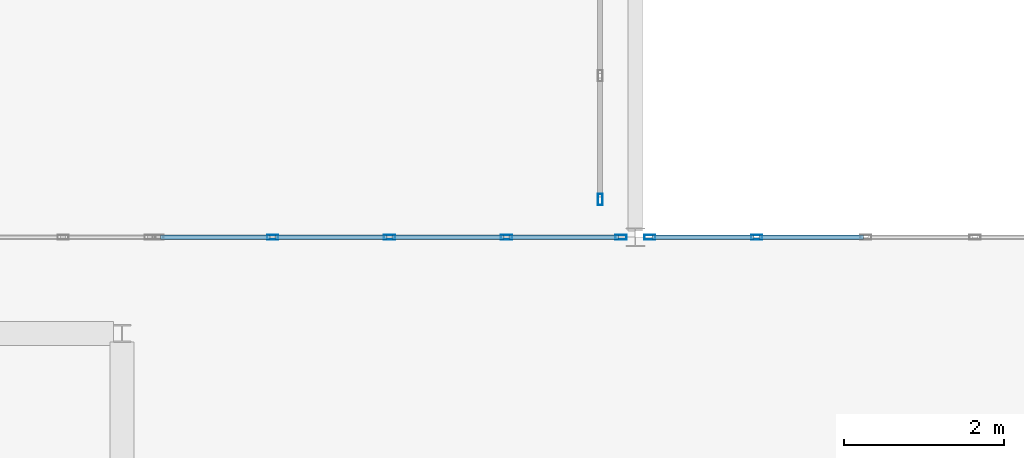
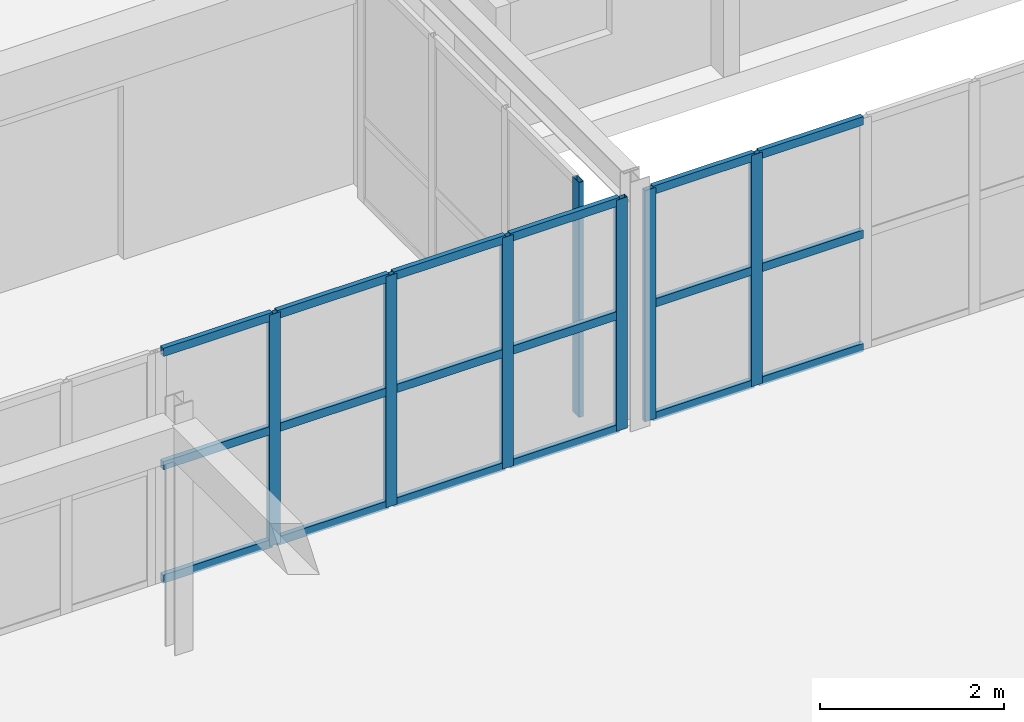
# One storey, part 97 of 200: 25 members, 3 elements without a shape of their own.
"""IFC4 building model written with IfcOpenShell, lengths in metres."""

from ifc_helpers import new_model, si_unit, direction, frame, origin, origin_2d, place, context, subcontext, project, spatial, hollow_rectangle, extrude, material, layer, layer_set, material_profile, profile_set, type_object, element, aggregate, save


model = new_model("IFC4")

# Units and contexts
model_context = context("Model", 3, precision=1e-05, world=origin(), true_north=direction((0.0, 1.0)))
body_context = subcontext(model_context, "Body", "Model", "MODEL_VIEW")
ifc_project = project(units=[si_unit("LENGTHUNIT", "METRE"), si_unit("AREAUNIT", "SQUARE_METRE"), si_unit("VOLUMEUNIT", "CUBIC_METRE"), si_unit("PLANEANGLEUNIT", "RADIAN"), si_unit("MASSUNIT", "GRAM", prefix="KILO")], contexts=[model_context])

# Site, building, storey
site_placement = place(None, origin())
site = spatial("IfcSite", under=ifc_project, at=site_placement, CompositionType="ELEMENT")
building_placement = place(site_placement, origin())
building = spatial("IfcBuilding", under=site, at=building_placement, Name="Trelvath General Hospital", CompositionType="ELEMENT")
storey_placement = place(building_placement, frame((0.0, 0.0, 4.800048828125)))
storey = spatial("IfcBuildingStorey", under=building, at=storey_placement, Name="L01", CompositionType="ELEMENT", Elevation=4.800048828125)

# Curtain wall, members
ifc_material_1 = material(Name="Anodised aluminium and low-E glass", Category="aluminium")
ifc_layer_1 = layer(ifc_material_1, 0.14990234375)
ifc_layer_set_1 = layer_set([ifc_layer_1], Name="Anodised aluminium and low-E glass")
curtain_wall_type_1 = type_object("IfcCurtainWallType", Name="CW CrystalCube 583 306 15", PredefinedType="USERDEFINED", material=ifc_layer_set_1)
curtain_wall_1_placement = place(storey_placement, origin())
curtain_wall_1 = element("IfcCurtainWall", 1, at=curtain_wall_1_placement, inside=storey, type_object=curtain_wall_type_1, Name="Crystal Cube Curtain Wall CUBE-W-T0 N4 L01", ObjectType="Unitised Glazed Curtain Wall", PredefinedType="USERDEFINED")
ifc_material_2 = material(Name="Anodised aluminium", Category="aluminium")
ifc_material_profile_1 = material_profile(ifc_material_2, hollow_rectangle(XDim=0.06005859375, YDim=0.139892578125, WallThickness=0.00390625, at=origin_2d()), Name="RHS60x140x4")
ifc_profile_set_1 = profile_set([ifc_material_profile_1], Name="Anodised aluminium")
member_type_1 = type_object("IfcMemberType", Name="CurtainMullion 60x140", PredefinedType="MULLION", material=ifc_profile_set_1)
member_1_placement = place(storey_placement, frame((62.677490234375, 86.800048828125, 0.0), z_axis=(0.0, 0.0, 1.0), x_axis=(0.0, 1.0, 0.0)))
member_1 = element("IfcMember", 2, at=member_1_placement, type_object=member_type_1, Name="CW-136 mullion 2", PredefinedType="MULLION", context=body_context, shape_type="SweptSolid", body=[
    extrude(hollow_rectangle(XDim=0.06005859375, YDim=0.139892578125, WallThickness=0.00390625, at=origin_2d()), origin(), (0.0, 0.0, 1.0), 3.06005859375),
])
member_2_placement = place(storey_placement, frame((64.135009765625, 86.800048828125, 0.0), z_axis=(0.0, 0.0, 1.0), x_axis=(0.0, 1.0, 0.0)))
member_2 = element("IfcMember", 3, at=member_2_placement, type_object=member_type_1, Name="CW-136 mullion 3", PredefinedType="MULLION", context=body_context, shape_type="SweptSolid", body=[
    extrude(hollow_rectangle(XDim=0.06005859375, YDim=0.139892578125, WallThickness=0.00390625, at=origin_2d()), origin(), (0.0, 0.0, 1.0), 3.06005859375),
])
member_3_placement = place(storey_placement, frame((65.592529296875, 86.800048828125, 0.0), z_axis=(0.0, 0.0, 1.0), x_axis=(0.0, 1.0, 0.0)))
member_3 = element("IfcMember", 4, at=member_3_placement, type_object=member_type_1, Name="CW-136 mullion 4", PredefinedType="MULLION", context=body_context, shape_type="SweptSolid", body=[
    extrude(hollow_rectangle(XDim=0.06005859375, YDim=0.139892578125, WallThickness=0.00390625, at=origin_2d()), origin(), (0.0, 0.0, 1.0), 3.06005859375),
])
member_4_placement = place(storey_placement, frame((67.02001953125, 86.800048828125, 0.0), z_axis=(0.0, 0.0, 1.0), x_axis=(0.0, 1.0, 0.0)))
member_4 = element("IfcMember", 5, at=member_4_placement, type_object=member_type_1, Name="CW-136 mullion 5", PredefinedType="MULLION", context=body_context, shape_type="SweptSolid", body=[
    extrude(hollow_rectangle(XDim=0.06005859375, YDim=0.139892578125, WallThickness=0.00390625, at=origin_2d()), origin(), (0.0, 0.0, 1.0), 3.06005859375),
])

ifc_material_3 = material(Name="Anodised aluminium and low-E glass", Category="aluminium")
ifc_layer_2 = layer(ifc_material_3, 0.14990234375)
ifc_layer_set_2 = layer_set([ifc_layer_2], Name="Anodised aluminium and low-E glass")
curtain_wall_type_2 = type_object("IfcCurtainWallType", Name="CW CrystalCube 817 306 15", PredefinedType="USERDEFINED", material=ifc_layer_set_2)
curtain_wall_2_placement = place(storey_placement, origin())
curtain_wall_2 = element("IfcCurtainWall", 6, at=curtain_wall_2_placement, inside=storey, type_object=curtain_wall_type_2, Name="Crystal Cube Curtain Wall CUBE-W-T0 N5 L01", ObjectType="Unitised Glazed Curtain Wall", PredefinedType="USERDEFINED")
member_5_placement = place(storey_placement, frame((67.3798828125, 86.800048828125, 0.0), z_axis=(0.0, 0.0, 1.0), x_axis=(0.0, 1.0, 0.0)))
member_5 = element("IfcMember", 7, at=member_5_placement, type_object=member_type_1, Name="CW-137 mullion 1", PredefinedType="MULLION", context=body_context, shape_type="SweptSolid", body=[
    extrude(hollow_rectangle(XDim=0.06005859375, YDim=0.139892578125, WallThickness=0.00390625, at=origin_2d()), origin(), (0.0, 0.0, 1.0), 3.06005859375),
])
member_6_placement = place(storey_placement, frame((68.711669921875, 86.800048828125, 0.0), z_axis=(0.0, 0.0, 1.0), x_axis=(0.0, 1.0, 0.0)))
member_6 = element("IfcMember", 8, at=member_6_placement, type_object=member_type_1, Name="CW-137 mullion 2", PredefinedType="MULLION", context=body_context, shape_type="SweptSolid", body=[
    extrude(hollow_rectangle(XDim=0.06005859375, YDim=0.139892578125, WallThickness=0.00390625, at=origin_2d()), origin(), (0.0, 0.0, 1.0), 3.06005859375),
])

# Curtain wall, member
ifc_material_4 = material(Name="Anodised aluminium and low-E glass", Category="aluminium")
ifc_layer_3 = layer(ifc_material_4, 0.139892578125)
ifc_layer_set_3 = layer_set([ifc_layer_3], Name="Anodised aluminium and low-E glass")
curtain_wall_type_3 = type_object("IfcCurtainWallType", Name="CW Bridge 472 311", PredefinedType="USERDEFINED", material=ifc_layer_set_3)
curtain_wall_3_placement = place(storey_placement, origin())
curtain_wall_3 = element("IfcCurtainWall", 9, at=curtain_wall_3_placement, inside=storey, type_object=curtain_wall_type_3, Name="Glazed Bridge Curtain Wall BRG-N-W E L01", ObjectType="Unitised Glazed Curtain Wall", PredefinedType="USERDEFINED")
member_7_placement = place(storey_placement, frame((66.760009765625, 87.27001953125, 0.0), z_axis=(0.0, 0.0, 1.0), x_axis=(1.0, 0.0, 0.0)))
member_7 = element("IfcMember", 10, at=member_7_placement, type_object=member_type_1, Name="CW-183 mullion 4", PredefinedType="MULLION", context=body_context, shape_type="SweptSolid", body=[
    extrude(hollow_rectangle(XDim=0.06005859375, YDim=0.139892578125, WallThickness=0.00390625, at=origin_2d()), origin(), (0.0, 0.0, 1.0), 3.10986328125),
])
aggregate(curtain_wall_3, [member_7])

# Member
ifc_material_5 = material(Name="Anodised aluminium", Category="aluminium")
ifc_material_profile_2 = material_profile(ifc_material_5, hollow_rectangle(XDim=0.06005859375, YDim=0.110107421875, WallThickness=0.00390625, at=origin_2d()), Name="RHS60x110x4")
ifc_profile_set_2 = profile_set([ifc_material_profile_2], Name="Anodised aluminium")
member_type_2 = type_object("IfcMemberType", Name="CurtainTransom 60x110", PredefinedType="USERDEFINED", material=ifc_profile_set_2)
member_8_placement = place(storey_placement, frame((61.280029296875, 86.800048828125, 0.030029296875), z_axis=(1.0, 0.0, 0.0), x_axis=(0.0, 1.0, 0.0)))
member_8 = element("IfcMember", 11, at=member_8_placement, type_object=member_type_2, Name="CW-136 transom 1.1", ObjectType="TRANSOM", PredefinedType="USERDEFINED", context=body_context, shape_type="SweptSolid", body=[
    extrude(hollow_rectangle(XDim=0.06005859375, YDim=0.110107421875, WallThickness=0.00390625, at=origin_2d()), origin(), (0.0, 0.0, 1.0), 1.367431640625),
])

member_9_placement = place(storey_placement, frame((61.280029296875, 86.800048828125, 1.530029296875), z_axis=(1.0, 0.0, 0.0), x_axis=(0.0, 1.0, 0.0)))
member_9 = element("IfcMember", 12, at=member_9_placement, type_object=member_type_2, Name="CW-136 transom 1.2", ObjectType="TRANSOM", PredefinedType="USERDEFINED", context=body_context, shape_type="SweptSolid", body=[
    extrude(hollow_rectangle(XDim=0.06005859375, YDim=0.110107421875, WallThickness=0.00390625, at=origin_2d()), origin(), (0.0, 0.0, 1.0), 1.367431640625),
])

member_10_placement = place(storey_placement, frame((61.280029296875, 86.800048828125, 3.030029296875), z_axis=(1.0, 0.0, 0.0), x_axis=(0.0, 1.0, 0.0)))
member_10 = element("IfcMember", 13, at=member_10_placement, type_object=member_type_2, Name="CW-136 transom 1.3", ObjectType="TRANSOM", PredefinedType="USERDEFINED", context=body_context, shape_type="SweptSolid", body=[
    extrude(hollow_rectangle(XDim=0.06005859375, YDim=0.110107421875, WallThickness=0.00390625, at=origin_2d()), origin(), (0.0, 0.0, 1.0), 1.367431640625),
])

member_11_placement = place(storey_placement, frame((62.70751953125, 86.800048828125, 0.030029296875), z_axis=(1.0, 0.0, 0.0), x_axis=(0.0, 1.0, 0.0)))
member_11 = element("IfcMember", 14, at=member_11_placement, type_object=member_type_2, Name="CW-136 transom 2.1", ObjectType="TRANSOM", PredefinedType="USERDEFINED", context=body_context, shape_type="SweptSolid", body=[
    extrude(hollow_rectangle(XDim=0.06005859375, YDim=0.110107421875, WallThickness=0.00390625, at=origin_2d()), origin(), (0.0, 0.0, 1.0), 1.3974609375),
])

member_12_placement = place(storey_placement, frame((62.70751953125, 86.800048828125, 1.530029296875), z_axis=(1.0, 0.0, 0.0), x_axis=(0.0, 1.0, 0.0)))
member_12 = element("IfcMember", 15, at=member_12_placement, type_object=member_type_2, Name="CW-136 transom 2.2", ObjectType="TRANSOM", PredefinedType="USERDEFINED", context=body_context, shape_type="SweptSolid", body=[
    extrude(hollow_rectangle(XDim=0.06005859375, YDim=0.110107421875, WallThickness=0.00390625, at=origin_2d()), origin(), (0.0, 0.0, 1.0), 1.3974609375),
])

member_13_placement = place(storey_placement, frame((62.70751953125, 86.800048828125, 3.030029296875), z_axis=(1.0, 0.0, 0.0), x_axis=(0.0, 1.0, 0.0)))
member_13 = element("IfcMember", 16, at=member_13_placement, type_object=member_type_2, Name="CW-136 transom 2.3", ObjectType="TRANSOM", PredefinedType="USERDEFINED", context=body_context, shape_type="SweptSolid", body=[
    extrude(hollow_rectangle(XDim=0.06005859375, YDim=0.110107421875, WallThickness=0.00390625, at=origin_2d()), origin(), (0.0, 0.0, 1.0), 1.3974609375),
])

member_14_placement = place(storey_placement, frame((64.1650390625, 86.800048828125, 0.030029296875), z_axis=(1.0, 0.0, 0.0), x_axis=(0.0, 1.0, 0.0)))
member_14 = element("IfcMember", 17, at=member_14_placement, type_object=member_type_2, Name="CW-136 transom 3.1", ObjectType="TRANSOM", PredefinedType="USERDEFINED", context=body_context, shape_type="SweptSolid", body=[
    extrude(hollow_rectangle(XDim=0.06005859375, YDim=0.110107421875, WallThickness=0.00390625, at=origin_2d()), origin(), (0.0, 0.0, 1.0), 1.3974609375),
])

member_15_placement = place(storey_placement, frame((64.1650390625, 86.800048828125, 1.530029296875), z_axis=(1.0, 0.0, 0.0), x_axis=(0.0, 1.0, 0.0)))
member_15 = element("IfcMember", 18, at=member_15_placement, type_object=member_type_2, Name="CW-136 transom 3.2", ObjectType="TRANSOM", PredefinedType="USERDEFINED", context=body_context, shape_type="SweptSolid", body=[
    extrude(hollow_rectangle(XDim=0.06005859375, YDim=0.110107421875, WallThickness=0.00390625, at=origin_2d()), origin(), (0.0, 0.0, 1.0), 1.3974609375),
])

member_16_placement = place(storey_placement, frame((64.1650390625, 86.800048828125, 3.030029296875), z_axis=(1.0, 0.0, 0.0), x_axis=(0.0, 1.0, 0.0)))
member_16 = element("IfcMember", 19, at=member_16_placement, type_object=member_type_2, Name="CW-136 transom 3.3", ObjectType="TRANSOM", PredefinedType="USERDEFINED", context=body_context, shape_type="SweptSolid", body=[
    extrude(hollow_rectangle(XDim=0.06005859375, YDim=0.110107421875, WallThickness=0.00390625, at=origin_2d()), origin(), (0.0, 0.0, 1.0), 1.3974609375),
])

member_17_placement = place(storey_placement, frame((65.62255859375, 86.800048828125, 0.030029296875), z_axis=(1.0, 0.0, 0.0), x_axis=(0.0, 1.0, 0.0)))
member_17 = element("IfcMember", 20, at=member_17_placement, type_object=member_type_2, Name="CW-136 transom 4.1", ObjectType="TRANSOM", PredefinedType="USERDEFINED", context=body_context, shape_type="SweptSolid", body=[
    extrude(hollow_rectangle(XDim=0.06005859375, YDim=0.110107421875, WallThickness=0.00390625, at=origin_2d()), origin(), (0.0, 0.0, 1.0), 1.367431640625),
])

member_18_placement = place(storey_placement, frame((65.62255859375, 86.800048828125, 1.530029296875), z_axis=(1.0, 0.0, 0.0), x_axis=(0.0, 1.0, 0.0)))
member_18 = element("IfcMember", 21, at=member_18_placement, type_object=member_type_2, Name="CW-136 transom 4.2", ObjectType="TRANSOM", PredefinedType="USERDEFINED", context=body_context, shape_type="SweptSolid", body=[
    extrude(hollow_rectangle(XDim=0.06005859375, YDim=0.110107421875, WallThickness=0.00390625, at=origin_2d()), origin(), (0.0, 0.0, 1.0), 1.367431640625),
])

member_19_placement = place(storey_placement, frame((65.62255859375, 86.800048828125, 3.030029296875), z_axis=(1.0, 0.0, 0.0), x_axis=(0.0, 1.0, 0.0)))
member_19 = element("IfcMember", 22, at=member_19_placement, type_object=member_type_2, Name="CW-136 transom 4.3", ObjectType="TRANSOM", PredefinedType="USERDEFINED", context=body_context, shape_type="SweptSolid", body=[
    extrude(hollow_rectangle(XDim=0.06005859375, YDim=0.110107421875, WallThickness=0.00390625, at=origin_2d()), origin(), (0.0, 0.0, 1.0), 1.367431640625),
])

aggregate(curtain_wall_1, [member_1, member_2, member_3, member_4, member_8, member_9, member_10, member_11, member_12, member_13, member_14, member_15, member_16, member_17, member_18, member_19])

member_20_placement = place(storey_placement, frame((67.409912109375, 86.800048828125, 0.030029296875), z_axis=(1.0, 0.0, 0.0), x_axis=(0.0, 1.0, 0.0)))
member_20 = element("IfcMember", 23, at=member_20_placement, type_object=member_type_2, Name="CW-137 transom 1.1", ObjectType="TRANSOM", PredefinedType="USERDEFINED", context=body_context, shape_type="SweptSolid", body=[
    extrude(hollow_rectangle(XDim=0.06005859375, YDim=0.110107421875, WallThickness=0.00390625, at=origin_2d()), origin(), (0.0, 0.0, 1.0), 1.271728515625),
])

member_21_placement = place(storey_placement, frame((67.409912109375, 86.800048828125, 1.530029296875), z_axis=(1.0, 0.0, 0.0), x_axis=(0.0, 1.0, 0.0)))
member_21 = element("IfcMember", 24, at=member_21_placement, type_object=member_type_2, Name="CW-137 transom 1.2", ObjectType="TRANSOM", PredefinedType="USERDEFINED", context=body_context, shape_type="SweptSolid", body=[
    extrude(hollow_rectangle(XDim=0.06005859375, YDim=0.110107421875, WallThickness=0.00390625, at=origin_2d()), origin(), (0.0, 0.0, 1.0), 1.271728515625),
])

member_22_placement = place(storey_placement, frame((67.409912109375, 86.800048828125, 3.030029296875), z_axis=(1.0, 0.0, 0.0), x_axis=(0.0, 1.0, 0.0)))
member_22 = element("IfcMember", 25, at=member_22_placement, type_object=member_type_2, Name="CW-137 transom 1.3", ObjectType="TRANSOM", PredefinedType="USERDEFINED", context=body_context, shape_type="SweptSolid", body=[
    extrude(hollow_rectangle(XDim=0.06005859375, YDim=0.110107421875, WallThickness=0.00390625, at=origin_2d()), origin(), (0.0, 0.0, 1.0), 1.271728515625),
])

member_23_placement = place(storey_placement, frame((68.74169921875, 86.800048828125, 0.030029296875), z_axis=(1.0, 0.0, 0.0), x_axis=(0.0, 1.0, 0.0)))
member_23 = element("IfcMember", 26, at=member_23_placement, type_object=member_type_2, Name="CW-137 transom 2.1", ObjectType="TRANSOM", PredefinedType="USERDEFINED", context=body_context, shape_type="SweptSolid", body=[
    extrude(hollow_rectangle(XDim=0.06005859375, YDim=0.110107421875, WallThickness=0.00390625, at=origin_2d()), origin(), (0.0, 0.0, 1.0), 1.301513671875),
])

member_24_placement = place(storey_placement, frame((68.74169921875, 86.800048828125, 1.530029296875), z_axis=(1.0, 0.0, 0.0), x_axis=(0.0, 1.0, 0.0)))
member_24 = element("IfcMember", 27, at=member_24_placement, type_object=member_type_2, Name="CW-137 transom 2.2", ObjectType="TRANSOM", PredefinedType="USERDEFINED", context=body_context, shape_type="SweptSolid", body=[
    extrude(hollow_rectangle(XDim=0.06005859375, YDim=0.110107421875, WallThickness=0.00390625, at=origin_2d()), origin(), (0.0, 0.0, 1.0), 1.301513671875),
])

member_25_placement = place(storey_placement, frame((68.74169921875, 86.800048828125, 3.030029296875), z_axis=(1.0, 0.0, 0.0), x_axis=(0.0, 1.0, 0.0)))
member_25 = element("IfcMember", 28, at=member_25_placement, type_object=member_type_2, Name="CW-137 transom 2.3", ObjectType="TRANSOM", PredefinedType="USERDEFINED", context=body_context, shape_type="SweptSolid", body=[
    extrude(hollow_rectangle(XDim=0.06005859375, YDim=0.110107421875, WallThickness=0.00390625, at=origin_2d()), origin(), (0.0, 0.0, 1.0), 1.301513671875),
])

aggregate(curtain_wall_2, [member_5, member_6, member_20, member_21, member_22, member_23, member_24, member_25])

save(model, "model.ifc")
